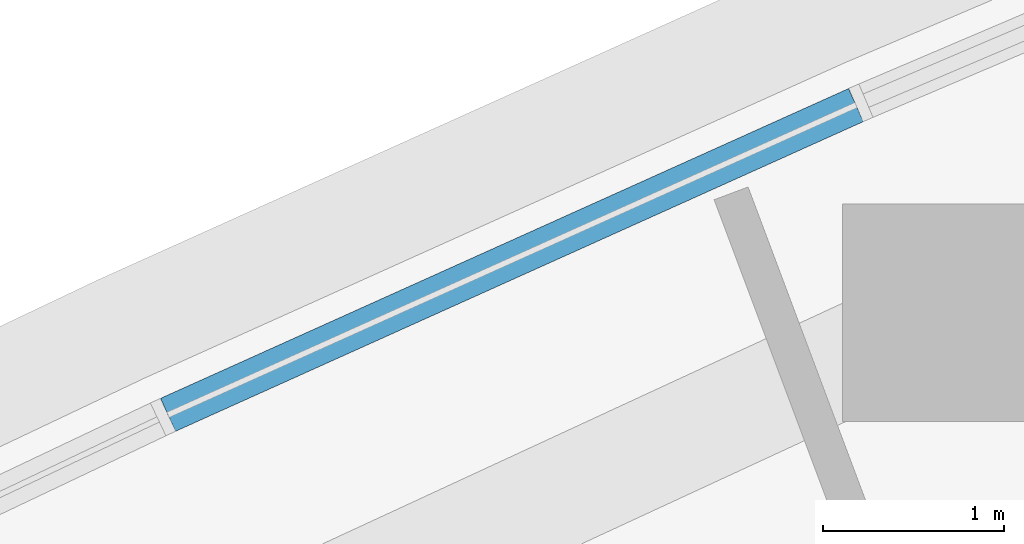
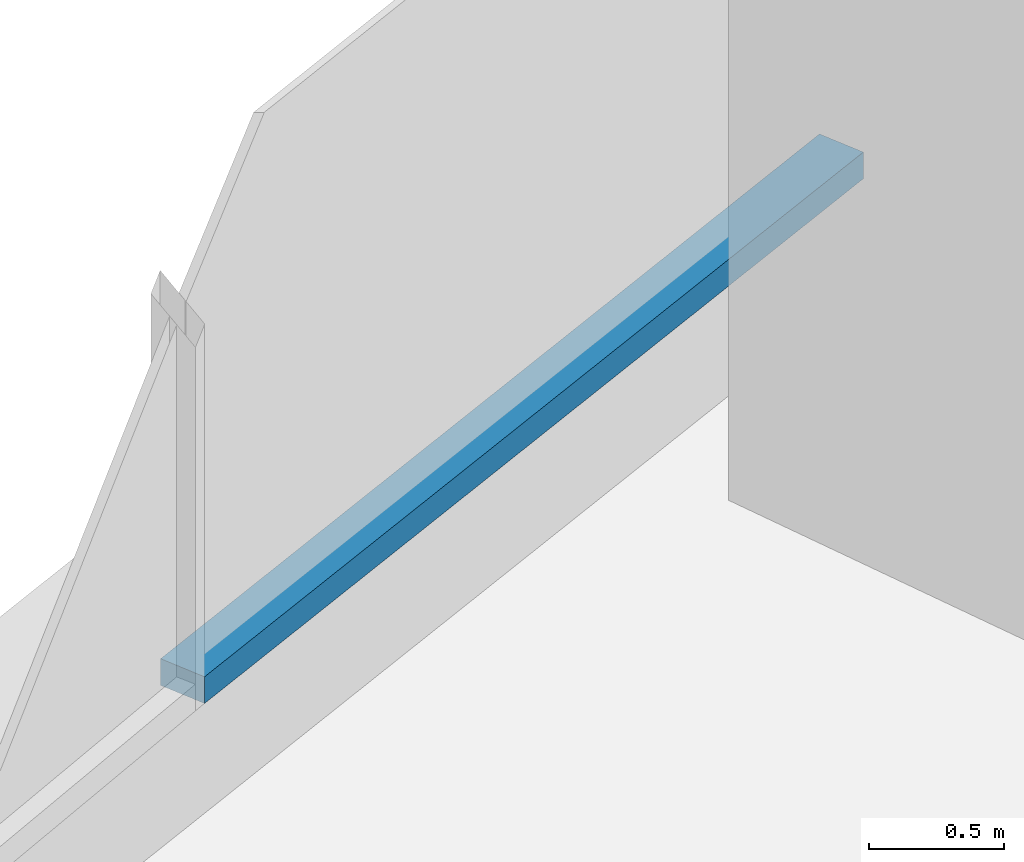
# One storey, part 3 of 16: 1 member, 1 element without a shape of its own.
"""IFC4 building model written with IfcOpenShell, lengths in metres."""

from ifc_helpers import new_model, si_unit, direction, frame, origin, origin_2d, place, context, subcontext, project, spatial, rectangle, extrude, material, layer, layer_set, material_profile, profile_set, type_object, element, aggregate, save


model = new_model("IFC4")

# Units and contexts
model_context = context("Model", 3, precision=1e-05, world=origin(), true_north=direction((0.0, 1.0)))
body_context = subcontext(model_context, "Body", "Model", "MODEL_VIEW")
ifc_project = project(units=[si_unit("LENGTHUNIT", "METRE"), si_unit("AREAUNIT", "SQUARE_METRE"), si_unit("VOLUMEUNIT", "CUBIC_METRE"), si_unit("PLANEANGLEUNIT", "RADIAN"), si_unit("MASSUNIT", "GRAM", prefix="KILO")], contexts=[model_context])

# Site, building, storey
site_placement = place(None, origin())
site = spatial("IfcSite", under=ifc_project, at=site_placement, CompositionType="ELEMENT")
building_placement = place(site_placement, origin())
building = spatial("IfcBuilding", under=site, at=building_placement, Name="Ostrand Prow Hotel Tower", CompositionType="ELEMENT")
storey_placement = place(building_placement, frame((0.0, 0.0, 249.199951171875)))
storey = spatial("IfcBuildingStorey", under=building, at=storey_placement, Name="L63", CompositionType="ELEMENT", Elevation=249.199951171875)

# Curtain wall, member
ifc_material_1 = material(Name="Insulated glass in bronze anodised frame", Category="glass")
ifc_layer = layer(ifc_material_1, 0.199951171875)
ifc_layer_set = layer_set([ifc_layer], Name="Insulated glass in bronze anodised frame")
curtain_wall_type = type_object("IfcCurtainWallType", Name="Strip curtain wall, fritted glass over bronze spandrel", PredefinedType="NOTDEFINED", material=ifc_layer_set)
curtain_wall_placement = place(storey_placement, origin())
curtain_wall = element("IfcCurtainWall", 1, at=curtain_wall_placement, inside=storey, type_object=curtain_wall_type, Name="CW1 run CWN5", PredefinedType="NOTDEFINED")
ifc_material_2 = material(Name="Bronze anodised aluminium", Category="aluminium")
ifc_material_profile = material_profile(ifc_material_2, rectangle(XDim=0.199951171875, YDim=0.1201171875, at=origin_2d()), Name="Transom 120x200 bronze anodised aluminium")
ifc_profile_set = profile_set([ifc_material_profile], Name="Bronze anodised aluminium")
member_type = type_object("IfcMemberType", Name="Transom 120x200 bronze anodised aluminium", PredefinedType="USERDEFINED", material=ifc_profile_set)
member_placement = place(storey_placement, frame((20.53271484375, 10.10400390625, 0.9599609375), z_axis=(-0.911832617051, -0.410562149353, 0.0), x_axis=(0.410562149353, -0.911832617051, 0.0)))
member = element("IfcMember", 2, at=member_placement, type_object=member_type, Name="CW1 transom 1.1", ObjectType="TRANSOM", PredefinedType="USERDEFINED", context=body_context, shape_type="SweptSolid", body=[
    extrude(rectangle(XDim=0.199951171875, YDim=0.1201171875, at=origin_2d()), origin(), (0.0, 0.0, 1.0), 4.163818359375),
])
aggregate(curtain_wall, [member])

save(model, "model.ifc")
